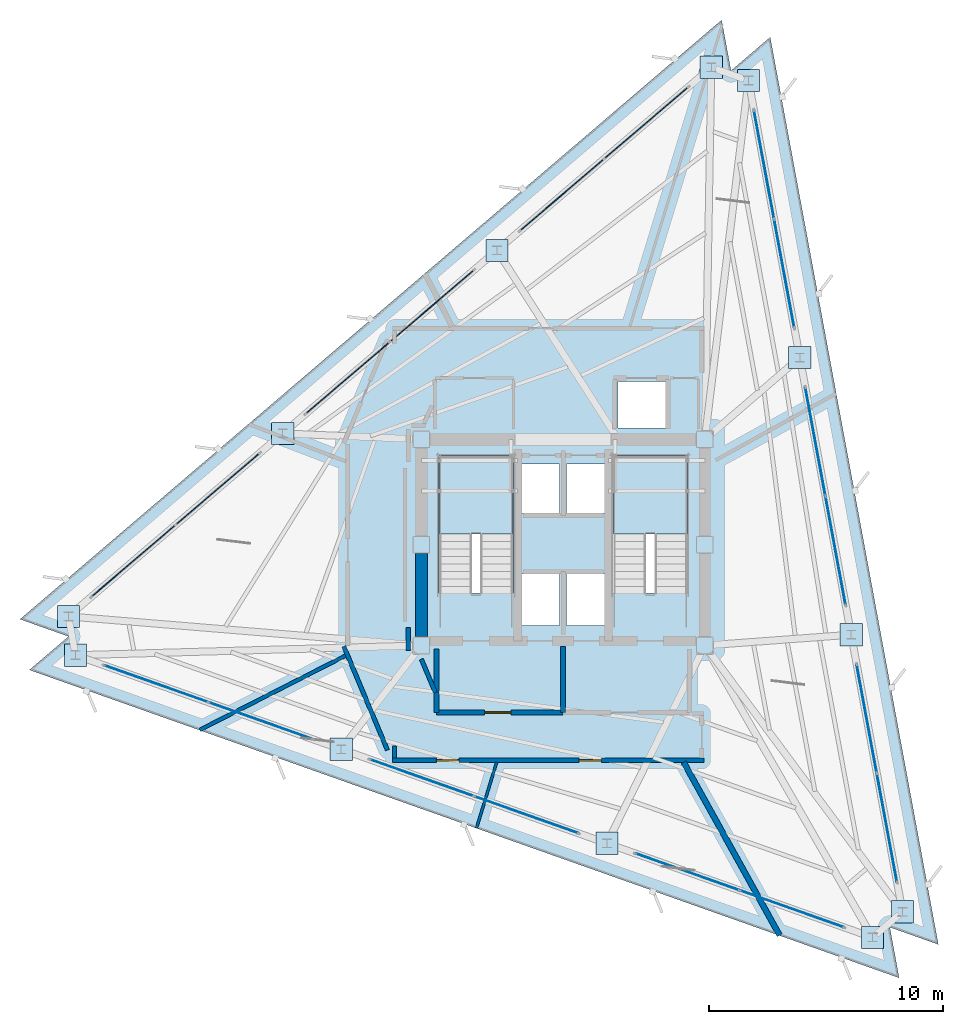
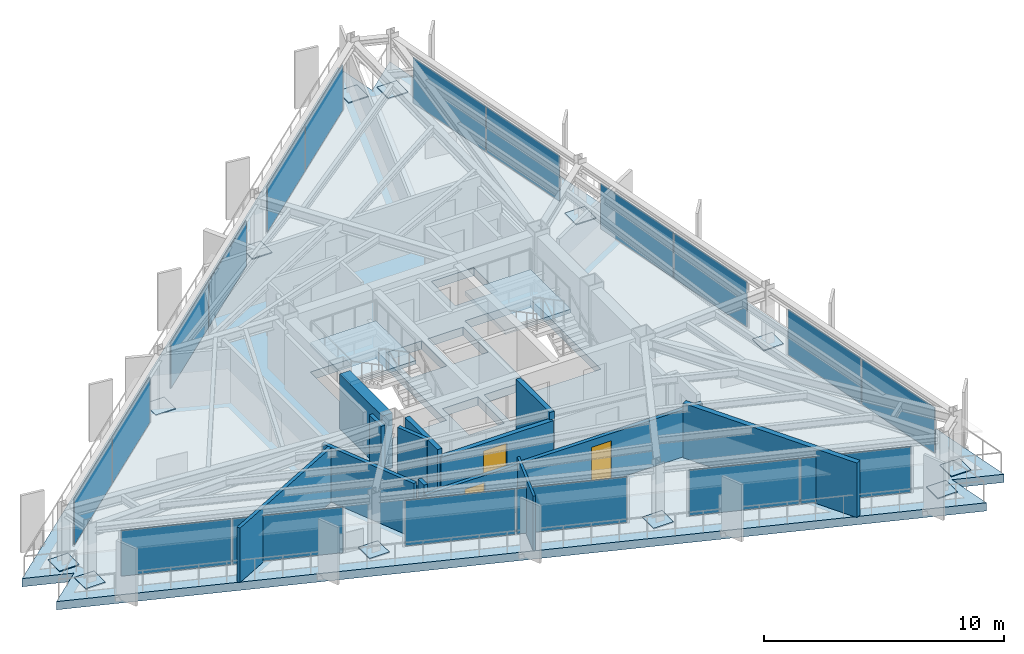
# One storey, part 8 of 14: 30 plates, 12 walls, 3 doors, 3 slabs, 3 openings, 11 elements without a shape of their own.
"""IFC4 building model written with IfcOpenShell, lengths in metres."""

from ifc_helpers import new_model, si_unit, direction, frame, frame_2d, origin, origin_2d, place, context, subcontext, project, spatial, polyline, rectangle, outline, extrude, material, layer, layer_set, type_object, element, fill, aggregate, save


model = new_model("IFC4")

# Units and contexts
model_context = context("Model", 3, precision=1e-05, world=origin(), true_north=direction((0.0, 1.0)))
body_context = subcontext(model_context, "Body", "Model", "MODEL_VIEW")
ifc_project = project(units=[si_unit("LENGTHUNIT", "METRE"), si_unit("AREAUNIT", "SQUARE_METRE"), si_unit("VOLUMEUNIT", "CUBIC_METRE"), si_unit("PLANEANGLEUNIT", "RADIAN"), si_unit("MASSUNIT", "GRAM", prefix="KILO")], contexts=[model_context])

# Site, building, storey
site_placement = place(None, origin())
site = spatial("IfcSite", under=ifc_project, at=site_placement, CompositionType="ELEMENT")
building_placement = place(site_placement, origin())
building = spatial("IfcBuilding", under=site, at=building_placement, Name="Rocaltana Carrier Exchange", CompositionType="ELEMENT")
storey_placement = place(building_placement, frame((0.0, 0.0, 175.360107421875)))
storey = spatial("IfcBuildingStorey", under=building, at=storey_placement, Name="L55", CompositionType="ELEMENT", Elevation=175.360107421875)

# Slab
ifc_material_1 = material(Name="Concrete C60/75", Category="concrete")
ifc_layer_1 = layer(ifc_material_1, 0.419921875)
ifc_layer_set_1 = layer_set([ifc_layer_1], Name="Concrete C60/75")
slab_type_1 = type_object("IfcSlabType", Name="Block Transfer Diaphragm Slab 420", PredefinedType="FLOOR", material=ifc_layer_set_1)
slab_1_placement = place(storey_placement, frame((0.0, 0.0, -0.420166015625)))
element("IfcSlab", 1, at=slab_1_placement, inside=storey, type_object=slab_type_1, Name="L55 Structural Floor Slab", PredefinedType="FLOOR", context=body_context, shape_type="SweptSolid", body=[
    extrude(outline(polyline([(14.349365234375, -18.49462890625), (13.948486328125, -16.33154296875), (16.022216796875, -17.06591796875), (8.84228515625, 21.67431640625), (7.169189453125, 20.24560546875), (6.768310546875, 22.40869140625), (-23.191650390625, -3.1796875), (-21.117919921875, -3.9140625), (-22.790771484375, -5.3427734375), (14.349365234375, -18.49462890625)]), holes=[polyline([(-5.300048828125, -2.06005859375), (-2.139892578125, -2.06005859375), (-2.139892578125, 3.800048828125), (-5.300048828125, 3.800048828125), (-5.300048828125, -2.06005859375)]), polyline([(2.139892578125, -2.06005859375), (5.300048828125, -2.06005859375), (5.300048828125, 3.800048828125), (2.139892578125, 3.800048828125), (2.139892578125, -2.06005859375)]), polyline([(-1.85009765625, -3.449951171875), (-0.14990234375, -3.449951171875), (-0.14990234375, -1.25), (-1.85009765625, -1.25), (-1.85009765625, -3.449951171875)]), polyline([(0.14990234375, -3.449951171875), (1.85009765625, -3.449951171875), (1.85009765625, -1.25), (0.14990234375, -1.25), (0.14990234375, -3.449951171875)]), polyline([(2.35009765625, 4.97998046875), (4.39990234375, 4.97998046875), (4.39990234375, 6.97998046875), (2.35009765625, 6.97998046875), (2.35009765625, 4.97998046875)]), polyline([(-1.85009765625, 1.35009765625), (-0.14990234375, 1.35009765625), (-0.14990234375, 3.449951171875), (-1.85009765625, 3.449951171875), (-1.85009765625, 1.35009765625)]), polyline([(0.14990234375, 1.35009765625), (1.85009765625, 1.35009765625), (1.85009765625, 3.449951171875), (0.14990234375, 3.449951171875), (0.14990234375, 1.35009765625)])]), origin(), (0.0, 0.0, 1.0), 0.420166015625),
])

# Curtain wall, plates
ifc_material_2 = material(Name="Aluminium 6063-T6", Category="aluminium")
ifc_layer_2 = layer(ifc_material_2, 0.135009765625)
ifc_layer_set_2 = layer_set([ifc_layer_2], Name="Aluminium 6063-T6")
curtain_wall_type = type_object("IfcCurtainWallType", Name="Upper-Mid Acoustic Curtain Wall CW-04", PredefinedType="NOTDEFINED", material=ifc_layer_set_2)
curtain_wall_1_placement = place(storey_placement, origin())
curtain_wall_1 = element("IfcCurtainWall", 2, at=curtain_wall_1_placement, inside=storey, type_object=curtain_wall_type, Name="L55 CW-04 Run CW-L55-F1S1", PredefinedType="NOTDEFINED")
ifc_material_3 = material(Name="Tempered Laminated Glass", Category="glass")
ifc_layer_3 = layer(ifc_material_3, 0.0380859375)
ifc_layer_set_3 = layer_set([ifc_layer_3], Name="Tempered Laminated Glass")
plate_type_1 = type_object("IfcPlateType", Name="CW-04 Stone-Insulated Vision Panel", PredefinedType="CURTAIN_PANEL", material=ifc_layer_set_3)
plate_1_placement = place(storey_placement, frame((13.827392578125, -12.0830078125, 0.06494140625), z_axis=(0.0, 0.0, 1.0), x_axis=(-0.182234247149, 0.98325514449, 0.0)))
plate_1 = element("IfcPlate", 3, at=plate_1_placement, type_object=plate_type_1, Name="CW-04 panel 1.1", PredefinedType="CURTAIN_PANEL", context=body_context, shape_type="SweptSolid", body=[
    extrude(rectangle(XDim=4.669189453125, YDim=0.0380859375, at=origin_2d()), origin(), (0.0, 0.0, 1.0), 2.318115234375),
])
plate_2_placement = place(storey_placement, frame((12.964599609375, -7.427978515625, 0.06494140625), z_axis=(0.0, 0.0, 1.0), x_axis=(-0.182234247149, 0.98325514449, 0.0)))
plate_2 = element("IfcPlate", 4, at=plate_2_placement, type_object=plate_type_1, Name="CW-04 panel 2.1", PredefinedType="CURTAIN_PANEL", context=body_context, shape_type="SweptSolid", body=[
    extrude(rectangle(XDim=4.669189453125, YDim=0.0380859375, at=origin_2d()), origin(), (0.0, 0.0, 1.0), 2.318115234375),
])
aggregate(curtain_wall_1, [plate_1, plate_2])

curtain_wall_2_placement = place(storey_placement, origin())
curtain_wall_2 = element("IfcCurtainWall", 5, at=curtain_wall_2_placement, inside=storey, type_object=curtain_wall_type, Name="L55 CW-04 Run CW-L55-F1S2", PredefinedType="NOTDEFINED")
plate_3_placement = place(storey_placement, frame((11.634521484375, -0.2509765625, 0.06494140625), z_axis=(0.0, 0.0, 1.0), x_axis=(-0.182236126712, 0.983254796134, 0.0)))
plate_3 = element("IfcPlate", 6, at=plate_3_placement, type_object=plate_type_1, Name="CW-04 panel 1.1", PredefinedType="CURTAIN_PANEL", context=body_context, shape_type="SweptSolid", body=[
    extrude(rectangle(XDim=4.669189453125, YDim=0.0380859375, at=origin_2d()), origin(), (0.0, 0.0, 1.0), 2.318115234375),
])
plate_4_placement = place(storey_placement, frame((10.771728515625, 4.40380859375, 0.06494140625), z_axis=(0.0, 0.0, 1.0), x_axis=(-0.182236126712, 0.983254796134, 0.0)))
plate_4 = element("IfcPlate", 7, at=plate_4_placement, type_object=plate_type_1, Name="CW-04 panel 2.1", PredefinedType="CURTAIN_PANEL", context=body_context, shape_type="SweptSolid", body=[
    extrude(rectangle(XDim=4.669189453125, YDim=0.0380859375, at=origin_2d()), origin(), (0.0, 0.0, 1.0), 2.318115234375),
])
aggregate(curtain_wall_2, [plate_3, plate_4])

curtain_wall_3_placement = place(storey_placement, origin())
curtain_wall_3 = element("IfcCurtainWall", 8, at=curtain_wall_3_placement, inside=storey, type_object=curtain_wall_type, Name="L55 CW-04 Run CW-L55-F1S3", PredefinedType="NOTDEFINED")
plate_5_placement = place(storey_placement, frame((9.441650390625, 11.580810546875, 0.06494140625), z_axis=(0.0, 0.0, 1.0), x_axis=(-0.182236126712, 0.983254796134, 0.0)))
plate_5 = element("IfcPlate", 9, at=plate_5_placement, type_object=plate_type_1, Name="CW-04 panel 1.1", PredefinedType="CURTAIN_PANEL", context=body_context, shape_type="SweptSolid", body=[
    extrude(rectangle(XDim=4.669189453125, YDim=0.0380859375, at=origin_2d()), origin(), (0.0, 0.0, 1.0), 2.318115234375),
])
plate_6_placement = place(storey_placement, frame((8.578857421875, 16.235595703125, 0.06494140625), z_axis=(0.0, 0.0, 1.0), x_axis=(-0.182236126712, 0.983254796134, 0.0)))
plate_6 = element("IfcPlate", 10, at=plate_6_placement, type_object=plate_type_1, Name="CW-04 panel 2.1", PredefinedType="CURTAIN_PANEL", context=body_context, shape_type="SweptSolid", body=[
    extrude(rectangle(XDim=4.669189453125, YDim=0.0380859375, at=origin_2d()), origin(), (0.0, 0.0, 1.0), 2.318115234375),
])
aggregate(curtain_wall_3, [plate_5, plate_6])

curtain_wall_4_placement = place(storey_placement, origin())
curtain_wall_4 = element("IfcCurtainWall", 11, at=curtain_wall_4_placement, inside=storey, type_object=curtain_wall_type, Name="L55 CW-04 Run CW-L55-F2S1", PredefinedType="NOTDEFINED")
plate_7_placement = place(storey_placement, frame((3.55029296875, 18.016357421875, 0.06494140625), z_axis=(0.0, 0.0, 1.0), x_axis=(-0.760406053922, -0.649447944918, 0.0)))
plate_7 = element("IfcPlate", 12, at=plate_7_placement, type_object=plate_type_1, Name="CW-04 panel 1.1", PredefinedType="CURTAIN_PANEL", context=body_context, shape_type="SweptSolid", body=[
    extrude(rectangle(XDim=4.669189453125, YDim=0.0380859375, at=origin_2d()), origin(), (0.0, 0.0, 1.0), 2.318115234375),
])
plate_8_placement = place(storey_placement, frame((-0.049560546875, 14.94189453125, 0.06494140625), z_axis=(0.0, 0.0, 1.0), x_axis=(-0.760406053922, -0.649447944918, 0.0)))
plate_8 = element("IfcPlate", 13, at=plate_8_placement, type_object=plate_type_1, Name="CW-04 panel 2.1", PredefinedType="CURTAIN_PANEL", context=body_context, shape_type="SweptSolid", body=[
    extrude(rectangle(XDim=4.669189453125, YDim=0.0380859375, at=origin_2d()), origin(), (0.0, 0.0, 1.0), 2.318115234375),
])
aggregate(curtain_wall_4, [plate_7, plate_8])

curtain_wall_5_placement = place(storey_placement, origin())
curtain_wall_5 = element("IfcCurtainWall", 14, at=curtain_wall_5_placement, inside=storey, type_object=curtain_wall_type, Name="L55 CW-04 Run CW-L55-F2S2", PredefinedType="NOTDEFINED")
plate_9_placement = place(storey_placement, frame((-5.599853515625, 10.201416015625, 0.06494140625), z_axis=(0.0, 0.0, 1.0), x_axis=(-0.760400873756, -0.649454010067, 0.0)))
plate_9 = element("IfcPlate", 15, at=plate_9_placement, type_object=plate_type_1, Name="CW-04 panel 1.1", PredefinedType="CURTAIN_PANEL", context=body_context, shape_type="SweptSolid", body=[
    extrude(rectangle(XDim=4.669189453125, YDim=0.0380859375, at=origin_2d()), origin(), (0.0, 0.0, 1.0), 2.318115234375),
])
plate_10_placement = place(storey_placement, frame((-9.19970703125, 7.126708984375, 0.06494140625), z_axis=(0.0, 0.0, 1.0), x_axis=(-0.760400873756, -0.649454010067, 0.0)))
plate_10 = element("IfcPlate", 16, at=plate_10_placement, type_object=plate_type_1, Name="CW-04 panel 2.1", PredefinedType="CURTAIN_PANEL", context=body_context, shape_type="SweptSolid", body=[
    extrude(rectangle(XDim=4.669189453125, YDim=0.0380859375, at=origin_2d()), origin(), (0.0, 0.0, 1.0), 2.318115234375),
])
aggregate(curtain_wall_5, [plate_9, plate_10])

curtain_wall_6_placement = place(storey_placement, origin())
curtain_wall_6 = element("IfcCurtainWall", 17, at=curtain_wall_6_placement, inside=storey, type_object=curtain_wall_type, Name="L55 CW-04 Run CW-L55-F2S3", PredefinedType="NOTDEFINED")
plate_11_placement = place(storey_placement, frame((-14.75, 2.38623046875, 0.06494140625), z_axis=(0.0, 0.0, 1.0), x_axis=(-0.760406053922, -0.649447944918, 0.0)))
plate_11 = element("IfcPlate", 18, at=plate_11_placement, type_object=plate_type_1, Name="CW-04 panel 1.1", PredefinedType="CURTAIN_PANEL", context=body_context, shape_type="SweptSolid", body=[
    extrude(rectangle(XDim=4.669189453125, YDim=0.0380859375, at=origin_2d()), origin(), (0.0, 0.0, 1.0), 2.318115234375),
])
plate_12_placement = place(storey_placement, frame((-18.349853515625, -0.688232421875, 0.06494140625), z_axis=(0.0, 0.0, 1.0), x_axis=(-0.760406053922, -0.649447944918, 0.0)))
plate_12 = element("IfcPlate", 19, at=plate_12_placement, type_object=plate_type_1, Name="CW-04 panel 2.1", PredefinedType="CURTAIN_PANEL", context=body_context, shape_type="SweptSolid", body=[
    extrude(rectangle(XDim=4.669189453125, YDim=0.0380859375, at=origin_2d()), origin(), (0.0, 0.0, 1.0), 2.318115234375),
])
aggregate(curtain_wall_6, [plate_11, plate_12])

curtain_wall_7_placement = place(storey_placement, origin())
curtain_wall_7 = element("IfcCurtainWall", 20, at=curtain_wall_7_placement, inside=storey, type_object=curtain_wall_type, Name="L55 CW-04 Run CW-L55-F3S1", PredefinedType="NOTDEFINED")
plate_13_placement = place(storey_placement, frame((-17.3779296875, -5.93359375, 0.06494140625), z_axis=(0.0, 0.0, 1.0), x_axis=(0.942645516582, -0.333795491383, 0.0)))
plate_13 = element("IfcPlate", 21, at=plate_13_placement, type_object=plate_type_1, Name="CW-04 panel 1.1", PredefinedType="CURTAIN_PANEL", context=body_context, shape_type="SweptSolid", body=[
    extrude(rectangle(XDim=4.669189453125, YDim=0.0380859375, at=origin_2d()), origin(), (0.0, 0.0, 1.0), 2.318115234375),
])
plate_14_placement = place(storey_placement, frame((-12.915283203125, -7.513671875, 0.06494140625), z_axis=(0.0, 0.0, 1.0), x_axis=(0.942645516582, -0.333795491383, 0.0)))
plate_14 = element("IfcPlate", 22, at=plate_14_placement, type_object=plate_type_1, Name="CW-04 panel 2.1", PredefinedType="CURTAIN_PANEL", context=body_context, shape_type="SweptSolid", body=[
    extrude(rectangle(XDim=4.669189453125, YDim=0.0380859375, at=origin_2d()), origin(), (0.0, 0.0, 1.0), 2.318115234375),
])
aggregate(curtain_wall_7, [plate_13, plate_14])

curtain_wall_8_placement = place(storey_placement, origin())
curtain_wall_8 = element("IfcCurtainWall", 23, at=curtain_wall_8_placement, inside=storey, type_object=curtain_wall_type, Name="L55 CW-04 Run CW-L55-F3S2", PredefinedType="NOTDEFINED")
plate_15_placement = place(storey_placement, frame((-6.03466796875, -9.9501953125, 0.06494140625), z_axis=(0.0, 0.0, 1.0), x_axis=(0.942644347833, -0.333798791936, 0.0)))
plate_15 = element("IfcPlate", 24, at=plate_15_placement, type_object=plate_type_1, Name="CW-04 panel 1.1", PredefinedType="CURTAIN_PANEL", context=body_context, shape_type="SweptSolid", body=[
    extrude(rectangle(XDim=4.669189453125, YDim=0.0380859375, at=origin_2d()), origin(), (0.0, 0.0, 1.0), 2.318115234375),
])
plate_16_placement = place(storey_placement, frame((-1.572021484375, -11.530517578125, 0.06494140625), z_axis=(0.0, 0.0, 1.0), x_axis=(0.942644347833, -0.333798791936, 0.0)))
plate_16 = element("IfcPlate", 25, at=plate_16_placement, type_object=plate_type_1, Name="CW-04 panel 2.1", PredefinedType="CURTAIN_PANEL", context=body_context, shape_type="SweptSolid", body=[
    extrude(rectangle(XDim=4.669189453125, YDim=0.0380859375, at=origin_2d()), origin(), (0.0, 0.0, 1.0), 2.318115234375),
])
aggregate(curtain_wall_8, [plate_15, plate_16])

curtain_wall_9_placement = place(storey_placement, origin())
curtain_wall_9 = element("IfcCurtainWall", 26, at=curtain_wall_9_placement, inside=storey, type_object=curtain_wall_type, Name="L55 CW-04 Run CW-L55-F3S3", PredefinedType="NOTDEFINED")
plate_17_placement = place(storey_placement, frame((5.308349609375, -13.967041015625, 0.06494140625), z_axis=(0.0, 0.0, 1.0), x_axis=(0.942644347833, -0.333798791936, 0.0)))
plate_17 = element("IfcPlate", 27, at=plate_17_placement, type_object=plate_type_1, Name="CW-04 panel 1.1", PredefinedType="CURTAIN_PANEL", context=body_context, shape_type="SweptSolid", body=[
    extrude(rectangle(XDim=4.669189453125, YDim=0.0380859375, at=origin_2d()), origin(), (0.0, 0.0, 1.0), 2.318115234375),
])
plate_18_placement = place(storey_placement, frame((9.77099609375, -15.54736328125, 0.06494140625), z_axis=(0.0, 0.0, 1.0), x_axis=(0.942644347833, -0.333798791936, 0.0)))
plate_18 = element("IfcPlate", 28, at=plate_18_placement, type_object=plate_type_1, Name="CW-04 panel 2.1", PredefinedType="CURTAIN_PANEL", context=body_context, shape_type="SweptSolid", body=[
    extrude(rectangle(XDim=4.669189453125, YDim=0.0380859375, at=origin_2d()), origin(), (0.0, 0.0, 1.0), 2.318115234375),
])
aggregate(curtain_wall_9, [plate_17, plate_18])

# Plates
ifc_material_4 = material(Name="Steel S460", Category="steel")
ifc_layer_4 = layer(ifc_material_4, 0.0400390625)
ifc_layer_set_4 = layer_set([ifc_layer_4], Name="Steel S460")
plate_type_2 = type_object("IfcPlateType", Name="Column Base Bearing Plate 950x950x40", PredefinedType="SHEET", material=ifc_layer_set_4)
for number, where, z_axis, x_axis, name in (
    (29, (14.492431640625, -15.67138671875, -0.000244140625), (0.0, 0.0, 1.0), (1.0, 0.0, 0.0), "L55 Block Transfer Bearing Plate TC01"),
    (30, (12.299560546875, -3.839599609375, -0.000244140625), (0.0, 0.0, 1.0), (1.0, 0.0, 0.0), "L55 Block Transfer Bearing Plate TC02"),
    (31, (10.106689453125, 7.9921875, -0.000244140625), (0.0, 0.0, 1.0), (1.0, 0.0, 0.0), "L55 Block Transfer Bearing Plate TC03"),
    (32, (7.913818359375, 19.82421875, -0.000244140625), (0.0, 0.0, 1.0), (1.0, 0.0, 0.0), "L55 Block Transfer Bearing Plate TC04"),
    (33, (6.325439453125, 20.38671875, -0.000244140625), (0.0, 0.0, 1.0), (1.0, 0.0, 0.0), "L55 Block Transfer Bearing Plate TC05"),
    (34, (-2.82470703125, 12.571533203125, -0.000244140625), (0.0, 0.0, 1.0), (1.0, 0.0, 0.0), "L55 Block Transfer Bearing Plate TC06"),
    (35, (-11.974853515625, 4.756591796875, -0.000244140625), (0.0, 0.0, 1.0), (1.0, 0.0, 0.0), "L55 Block Transfer Bearing Plate TC07"),
    (36, (-21.125, -3.05859375, -0.000244140625), (0.0, 0.0, 1.0), (1.0, 0.0, 0.0), "L55 Block Transfer Bearing Plate TC08"),
    (37, (-20.818115234375, -4.715087890625, -0.000244140625), (0.0, 0.0, 1.0), (1.0, 0.0, 0.0), "L55 Block Transfer Bearing Plate TC09"),
    (38, (-9.474853515625, -8.73193359375, -0.000244140625), (0.0, 0.0, 1.0), (1.0, 0.0, 0.0), "L55 Block Transfer Bearing Plate TC10"),
    (39, (1.8681640625, -12.748779296875, -0.000244140625), (0.0, 0.0, 1.0), (1.0, 0.0, 0.0), "L55 Block Transfer Bearing Plate TC11"),
    (40, (13.211181640625, -16.765625, -0.000244140625), (0.0, 0.0, 1.0), (1.0, 0.0, 0.0), "L55 Block Transfer Bearing Plate TC12"),
):
    element("IfcPlate", number, at=place(storey_placement, frame(where, z_axis=z_axis, x_axis=x_axis)), inside=storey, type_object=plate_type_2, Name=name, PredefinedType="SHEET", context=body_context, shape_type="SweptSolid", body=[
        extrude(rectangle(XDim=0.949951171875, YDim=0.949951171875, at=origin_2d()), origin(), (0.0, 0.0, 1.0), 0.0400390625),
    ])

# Stair, slab
ifc_material_5 = material(Name="Precast concrete C45/55", Category="concrete")
stair_type = type_object("IfcStairType", Name="Standard Dog-Leg Stair 160", PredefinedType="HALF_TURN_STAIR", material=ifc_material_5)
stair_1_placement = place(storey_placement, origin())
stair_1 = element("IfcStair", 41, at=stair_1_placement, inside=storey, type_object=stair_type, Name="L55 Core West Exit Stair ST-1", PredefinedType="HALF_TURN_STAIR")
ifc_material_6 = material(Name="Precast concrete C45/55", Category="concrete")
ifc_layer_5 = layer(ifc_material_6, 0.199951171875)
ifc_layer_set_5 = layer_set([ifc_layer_5], Name="Precast concrete C45/55")
slab_type_2 = type_object("IfcSlabType", Name="Precast Stair Half-Landing 200", PredefinedType="LANDING", material=ifc_layer_set_5)
slab_2_placement = place(storey_placement, frame((0.0, 0.0, 1.31982421875)))
slab_2 = element("IfcSlab", 42, at=slab_2_placement, type_object=slab_type_2, Name="ST-1 landing 1", PredefinedType="LANDING", context=body_context, shape_type="SweptSolid", body=[
    extrude(outline(polyline([(-2.139892578125, 0.4599609375), (-2.139892578125, 3.800048828125), (-5.300048828125, 3.800048828125), (-5.300048828125, 0.4599609375), (-2.139892578125, 0.4599609375)])), origin(), (0.0, 0.0, 1.0), 0.199951171875),
])
aggregate(stair_1, [slab_2])

stair_2_placement = place(storey_placement, origin())
stair_2 = element("IfcStair", 43, at=stair_2_placement, inside=storey, type_object=stair_type, Name="L55 Core East Exit Stair ST-2", PredefinedType="HALF_TURN_STAIR")
slab_3_placement = place(storey_placement, frame((0.0, 0.0, 1.31982421875)))
slab_3 = element("IfcSlab", 44, at=slab_3_placement, type_object=slab_type_2, Name="ST-2 landing 1", PredefinedType="LANDING", context=body_context, shape_type="SweptSolid", body=[
    extrude(outline(polyline([(5.300048828125, 0.4599609375), (5.300048828125, 3.800048828125), (2.139892578125, 3.800048828125), (2.139892578125, 0.4599609375), (5.300048828125, 0.4599609375)])), origin(), (0.0, 0.0, 1.0), 0.199951171875),
])
aggregate(stair_2, [slab_3])

# Walls
ifc_material_7 = material(Name="Double Acoustic Gypsum Partition", Category="gypsum")
ifc_layer_6 = layer(ifc_material_7, 0.159912109375)
ifc_layer_set_6 = layer_set([ifc_layer_6], Name="Double Acoustic Gypsum Partition")
wall_type_1 = type_object("IfcWallType", Name="Acoustic Studio Partition 160 EI60", PredefinedType="PARTITIONING", material=ifc_layer_set_6)
wall_1_placement = place(storey_placement, frame((-9.28564453125, -4.731201171875, 0.0), z_axis=(0.0, 0.0, 1.0), x_axis=(-0.891002207928, -0.453998970778, 0.0)))
element("IfcWall", 45, at=wall_1_placement, inside=storey, type_object=wall_type_1, Name="L55 Suite Divider Wall D1", PredefinedType="PARTITIONING", context=body_context, shape_type="SweptSolid", body=[
    extrude(rectangle(XDim=6.99560546875, YDim=0.159912109375, at=frame_2d((3.497802734375, 0.0))), origin(), (0.0, 0.0, 1.0), 2.77294921875),
])
ifc_material_8 = material(Name="Concrete C50/60", Category="concrete")
ifc_layer_7 = layer(ifc_material_8, 0.5)
ifc_layer_set_7 = layer_set([ifc_layer_7], Name="Concrete C50/60")
wall_type_2 = type_object("IfcWallType", Name="Core Shear Wall 500", PredefinedType="SHEAR", material=ifc_layer_set_7)
wall_2_placement = place(storey_placement, frame((-6.050048828125, -3.925048828125, 0.0), z_axis=(0.0, 0.0, 1.0), x_axis=(0.0, 1.0, 0.0)))
element("IfcWall", 46, at=wall_2_placement, inside=storey, type_object=wall_type_2, Name="L55 Core Shear Wall CW-WS", PredefinedType="SHEAR", context=body_context, shape_type="SweptSolid", body=[
    extrude(rectangle(XDim=3.550048828125, YDim=0.5, at=frame_2d((1.77490234375, 0.0))), origin(), (0.0, 0.0, 1.0), 2.7978515625),
])
ifc_material_9 = material(Name="Gypsum & Steel Stud Partition", Category="steel")
ifc_layer_8 = layer(ifc_material_9, 0.179931640625)
ifc_layer_set_8 = layer_set([ifc_layer_8], Name="Gypsum & Steel Stud Partition")
wall_type_3 = type_object("IfcWallType", Name="Corridor Fire Partition 180 EI60", PredefinedType="PARTITIONING", material=ifc_layer_set_8)
wall_3_placement = place(storey_placement, frame((-7.501220703125, -8.768798828125, 0.0), z_axis=(0.0, 0.0, 1.0), x_axis=(-0.387573945081, 0.921838617706, 0.0)))
element("IfcWall", 47, at=wall_3_placement, inside=storey, type_object=wall_type_3, Name="L55 Corridor Partition 1", PredefinedType="PARTITIONING", context=body_context, shape_type="SweptSolid", body=[
    extrude(rectangle(XDim=4.813232421875, YDim=0.179931640625, at=frame_2d((2.40673828125, 0.0))), origin(), (0.0, 0.0, 1.0), 2.77294921875),
])
wall_4_placement = place(storey_placement, frame((-6.610107421875, -3.541259765625, 0.0), z_axis=(0.0, 0.0, 1.0), x_axis=(0.0, -1.0, 0.0)))
element("IfcWall", 48, at=wall_4_placement, inside=storey, type_object=wall_type_3, Name="L55 Corridor Partition 12", PredefinedType="PARTITIONING", context=body_context, shape_type="SweptSolid", body=[
    extrude(rectangle(XDim=0.978759765625, YDim=0.179931640625, at=frame_2d((0.4892578125, 0.0))), origin(), (0.0, 0.0, 1.0), 2.77294921875),
])
wall_5_placement = place(storey_placement, frame((-6.0546875, -4.881591796875, 0.0), z_axis=(0.0, 0.0, 1.0), x_axis=(0.387579540458, -0.921836265189, 0.0)))
element("IfcWall", 49, at=wall_5_placement, inside=storey, type_object=wall_type_3, Name="L55 Corridor Partition 13", PredefinedType="PARTITIONING", context=body_context, shape_type="SweptSolid", body=[
    extrude(rectangle(XDim=1.5546875, YDim=0.179931640625, at=frame_2d((0.77734375, 0.0))), origin(), (0.0, 0.0, 1.0), 2.77294921875),
])

# Wall, openings, doors
wall_6_placement = place(storey_placement, frame((6.010009765625, -9.199951171875, 0.0), z_axis=(0.0, 0.0, 1.0), x_axis=(-1.0, 0.0, 0.0)))
wall_6 = element("IfcWall", 50, at=wall_6_placement, inside=storey, type_object=wall_type_3, Name="L55 Corridor Partition 16", PredefinedType="PARTITIONING", context=body_context, shape_type="SweptSolid", body=[
    extrude(rectangle(XDim=13.300048828125, YDim=0.179931640625, at=frame_2d((6.64990234375, 0.0))), origin(), (0.0, 0.0, 1.0), 2.394775390625),
])
opening_1_placement = place(wall_6_placement, frame((10.46533203125, 0.0, 0.0)))
opening_1 = element("IfcOpeningElement", 51, at=opening_1_placement, cuts=wall_6, Name="Opening D-RM098", PredefinedType="OPENING", context=body_context, shape_type="SweptSolid", body=[
    extrude(rectangle(XDim=0.9599609375, YDim=2.02001953125, at=frame_2d((0.47998046875, 1.010009765625))), frame((0.0, 0.099853515625, 0.0), z_axis=(0.0, -1.0, 0.0), x_axis=(1.0, 0.0, 0.0)), (0.0, 0.0, 1.0), 0.199951171875),
])
opening_2_placement = place(wall_6_placement, frame((4.373291015625, 0.0, 0.0)))
opening_2 = element("IfcOpeningElement", 52, at=opening_2_placement, cuts=wall_6, Name="Opening D-RM098", PredefinedType="OPENING", context=body_context, shape_type="SweptSolid", body=[
    extrude(rectangle(XDim=0.9599609375, YDim=2.02001953125, at=frame_2d((0.47998046875, 1.010009765625))), frame((0.0, 0.099853515625, 0.0), z_axis=(0.0, -1.0, 0.0), x_axis=(1.0, 0.0, 0.0)), (0.0, 0.0, 1.0), 0.199951171875),
])
ifc_material_10 = material(Name="Engineered Hardwood Timber", Category="wood")
door_type_1 = type_object("IfcDoorType", Name="Workspace Single Door 960x2020", OperationType="NOTDEFINED", PredefinedType="DOOR", material=ifc_material_10)
door_1_placement = place(opening_1_placement, origin())
door_1 = element("IfcDoor", 53, at=door_1_placement, inside=storey, type_object=door_type_1, Name="L55 Staff Break Pantry Entrance Door", OperationType="SINGLE_SWING_LEFT", OverallHeight=2.02001953125, OverallWidth=0.9599609375, PredefinedType="DOOR", context=body_context, shape_type="SweptSolid", body=[
    extrude(rectangle(XDim=0.9599609375, YDim=2.02001953125, at=frame_2d((0.47998046875, 1.010009765625))), frame((0.0, 0.02490234375, 0.0), z_axis=(0.0, -1.0, 0.0), x_axis=(1.0, 0.0, 0.0)), (0.0, 0.0, 1.0), 0.050048828125),
])
fill(opening_1, door_1)
door_2_placement = place(opening_2_placement, origin())
door_2 = element("IfcDoor", 54, at=door_2_placement, inside=storey, type_object=door_type_1, Name="L55 Client Reception Foyer Entrance Door", OperationType="SINGLE_SWING_RIGHT", OverallHeight=2.02001953125, OverallWidth=0.9599609375, PredefinedType="DOOR", context=body_context, shape_type="SweptSolid", body=[
    extrude(rectangle(XDim=0.9599609375, YDim=2.02001953125, at=frame_2d((0.47998046875, 1.010009765625))), frame((0.0, 0.02490234375, 0.0), z_axis=(0.0, -1.0, 0.0), x_axis=(1.0, 0.0, 0.0)), (0.0, 0.0, 1.0), 0.050048828125),
])
fill(opening_2, door_2)

# Walls
wall_7_placement = place(storey_placement, frame((-7.199951171875, -9.110107421875, 0.0), z_axis=(0.0, 0.0, 1.0), x_axis=(0.0, 1.0, 0.0)))
element("IfcWall", 55, at=wall_7_placement, inside=storey, type_object=wall_type_3, Name="L55 Corridor Partition 17", PredefinedType="PARTITIONING", context=body_context, shape_type="SweptSolid", body=[
    extrude(rectangle(XDim=0.509521484375, YDim=0.179931640625, at=frame_2d((0.2548828125, 0.0))), origin(), (0.0, 0.0, 1.0), 2.77294921875),
])
ifc_material_11 = material(Name="Aluminium 6063-T6 & Acoustic Glass", Category="aluminium")
ifc_layer_9 = layer(ifc_material_11, 0.114990234375)
ifc_layer_set_9 = layer_set([ifc_layer_9], Name="Aluminium 6063-T6 & Acoustic Glass")
wall_type_4 = type_object("IfcWallType", Name="Demountable Glazed Lab Partition 115", PredefinedType="MOVABLE", material=ifc_layer_set_9)
wall_8_placement = place(storey_placement, frame((-2.837158203125, -9.280029296875, 0.0), z_axis=(0.0, 0.0, 1.0), x_axis=(-0.292353462598, -0.95631033295, 0.0)))
element("IfcWall", 56, at=wall_8_placement, inside=storey, type_object=wall_type_4, Name="L55 Suite Divider Wall D2", PredefinedType="MOVABLE", context=body_context, shape_type="SweptSolid", body=[
    extrude(rectangle(XDim=2.94189453125, YDim=0.114990234375, at=frame_2d((1.470947265625, 0.0))), origin(), (0.0, 0.0, 1.0), 2.77294921875),
])
ifc_material_12 = material(Name="Autoclaved Aerated Concrete C30/37", Category="concrete")
ifc_layer_10 = layer(ifc_material_12, 0.219970703125)
ifc_layer_set_10 = layer_set([ifc_layer_10], Name="Autoclaved Aerated Concrete C30/37")
wall_type_5 = type_object("IfcWallType", Name="Firefighting Lobby Wall 220 EI120", PredefinedType="PARTITIONING", material=ifc_layer_set_10)
wall_9_placement = place(storey_placement, frame((-5.39990234375, -7.159912109375, 0.0), z_axis=(0.0, 0.0, 1.0), x_axis=(0.0, 1.0, 0.0)))
element("IfcWall", 57, at=wall_9_placement, inside=storey, type_object=wall_type_5, Name="L55 FFL Lobby 1 West Wall", PredefinedType="PARTITIONING", context=body_context, shape_type="SweptSolid", body=[
    extrude(rectangle(XDim=2.7099609375, YDim=0.219970703125, at=frame_2d((1.35498046875, 0.0))), origin(), (0.0, 0.0, 1.0), 2.77294921875),
])
wall_10_placement = place(storey_placement, frame((0.0, -7.159912109375, 0.0), z_axis=(0.0, 0.0, 1.0), x_axis=(0.0, 1.0, 0.0)))
element("IfcWall", 58, at=wall_10_placement, inside=storey, type_object=wall_type_5, Name="L55 FFL Lobby Centre Wall", PredefinedType="PARTITIONING", context=body_context, shape_type="SweptSolid", body=[
    extrude(rectangle(XDim=2.809814453125, YDim=0.219970703125, at=frame_2d((1.40478515625, 0.0))), origin(), (0.0, 0.0, 1.0), 2.77294921875),
])

# Wall, opening, door
wall_11_placement = place(storey_placement, frame((-5.39990234375, -7.159912109375, 0.0), z_axis=(0.0, 0.0, 1.0), x_axis=(1.0, 0.0, 0.0)))
wall_11 = element("IfcWall", 59, at=wall_11_placement, inside=storey, type_object=wall_type_5, Name="L55 FFL Lobby 1 South Wall", PredefinedType="PARTITIONING", context=body_context, shape_type="SweptSolid", body=[
    extrude(rectangle(XDim=5.39990234375, YDim=0.219970703125, at=frame_2d((2.699951171875, 0.0))), origin(), (0.0, 0.0, 1.0), 2.394775390625),
])
opening_3_placement = place(wall_11_placement, frame((2.050048828125, 0.0, 0.0)))
opening_3 = element("IfcOpeningElement", 60, at=opening_3_placement, cuts=wall_11, Name="Opening D-FF115", PredefinedType="OPENING", context=body_context, shape_type="SweptSolid", body=[
    extrude(rectangle(XDim=1.1201171875, YDim=2.02001953125, at=frame_2d((0.56005859375, 1.010009765625))), frame((0.0, 0.119873046875, 0.0), z_axis=(0.0, -1.0, 0.0), x_axis=(1.0, 0.0, 0.0)), (0.0, 0.0, 1.0), 0.239990234375),
])
ifc_material_13 = material(Name="Hollow Metal Fire Door Assembly", Category="steel")
door_type_2 = type_object("IfcDoorType", Name="Firefighting Lobby Door 1120x2020 FD60S", OperationType="NOTDEFINED", PredefinedType="DOOR", material=ifc_material_13)
door_3_placement = place(opening_3_placement, origin())
door_3 = element("IfcDoor", 61, at=door_3_placement, inside=storey, type_object=door_type_2, Name="L55 Firefighting Lift Lobby 1 Door", OperationType="SINGLE_SWING_RIGHT", OverallHeight=2.02001953125, OverallWidth=1.1201171875, PredefinedType="DOOR", context=body_context, shape_type="SweptSolid", body=[
    extrude(rectangle(XDim=1.1201171875, YDim=2.02001953125, at=frame_2d((0.56005859375, 1.010009765625))), frame((0.0, 0.02490234375, 0.0), z_axis=(0.0, -1.0, 0.0), x_axis=(1.0, 0.0, 0.0)), (0.0, 0.0, 1.0), 0.050048828125),
])
fill(opening_3, door_3)

# Wall
ifc_material_14 = material(Name="Acoustic Calcium Silicate Partition", Category="gypsum")
ifc_layer_11 = layer(ifc_material_14, 0.239990234375)
ifc_layer_set_11 = layer_set([ifc_layer_11], Name="Acoustic Calcium Silicate Partition")
wall_type_6 = type_object("IfcWallType", Name="Heavy Lab Partition 240 EI90", PredefinedType="PARTITIONING", material=ifc_layer_set_11)
wall_12_placement = place(storey_placement, frame((5.14404296875, -9.280029296875, 0.0), z_axis=(0.0, 0.0, 1.0), x_axis=(0.484804355006, -0.874622625689, 0.0)))
element("IfcWall", 62, at=wall_12_placement, inside=storey, type_object=wall_type_6, Name="L55 Suite Divider Wall D3", PredefinedType="PARTITIONING", context=body_context, shape_type="SweptSolid", body=[
    extrude(rectangle(XDim=8.456298828125, YDim=0.239990234375, at=frame_2d((4.22802734375, 0.0))), origin(), (0.0, 0.0, 1.0), 2.77294921875),
])

save(model, "model.ifc")
